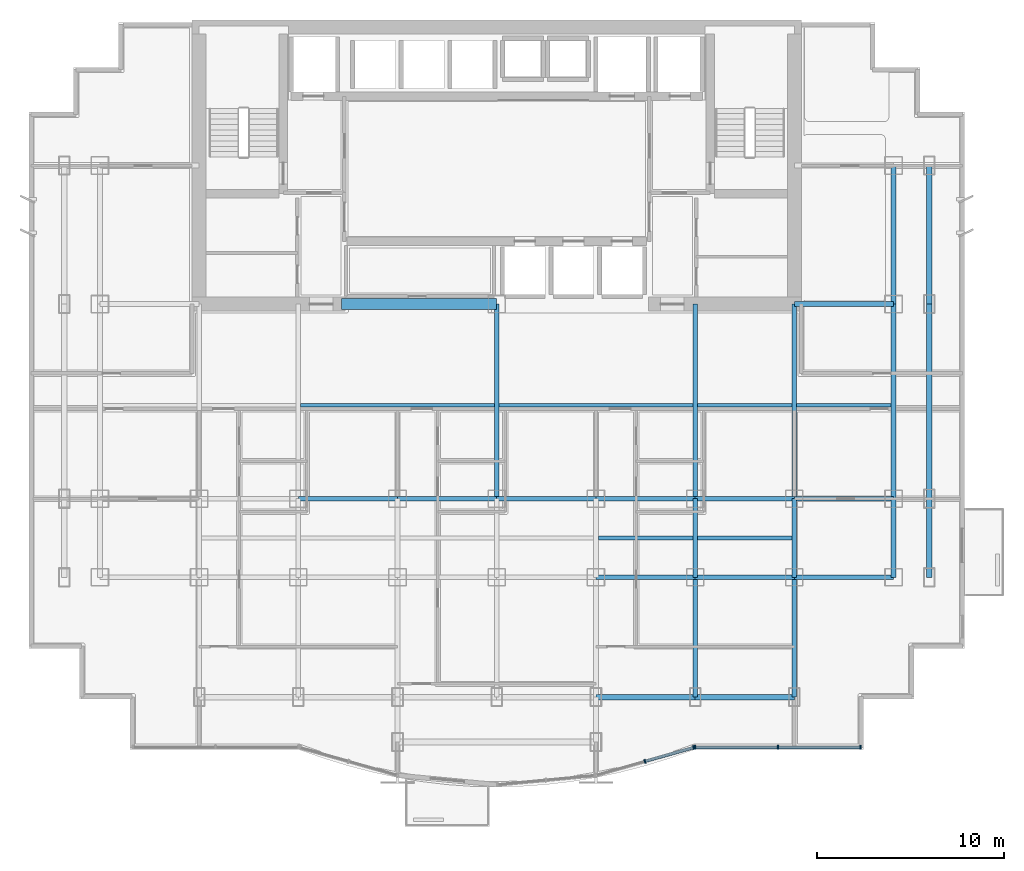
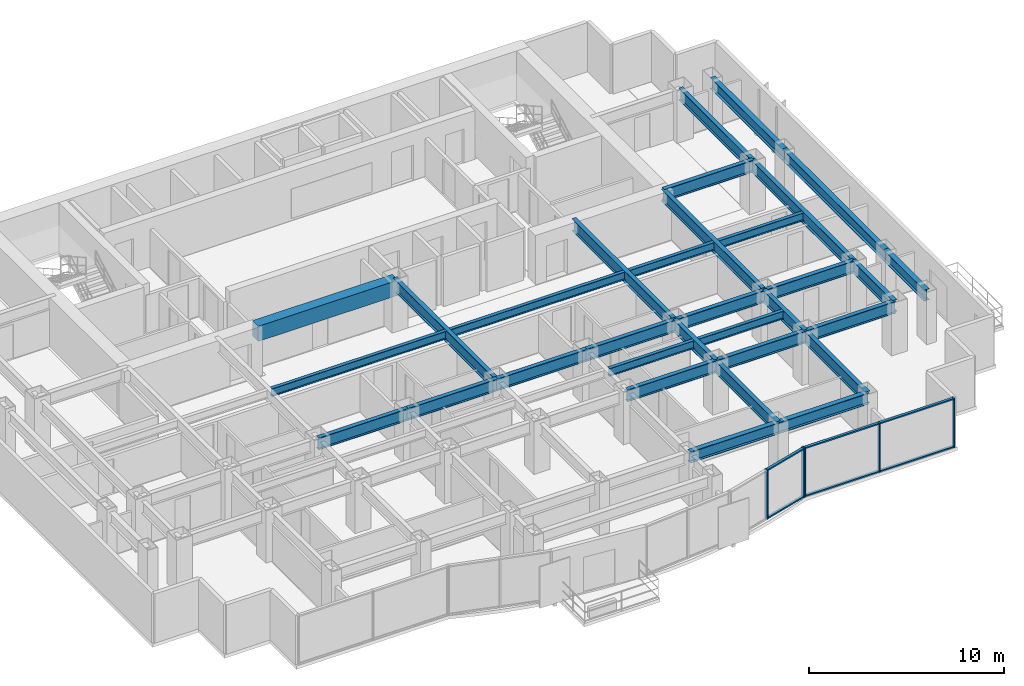
# One storey, part 3 of 9: 32 beams, 11 members, 2 elements without a shape of their own.
"""IFC4 building model written with IfcOpenShell, lengths in metres."""

import ifcopenshell
import ifcopenshell.guid

model = None  # the IFC model being written
_history = None  # IfcOwnerHistory: only IFC2X3 demands one
_inside = {}  # id of a spatial element -> (the spatial element, [elements in it])
_under = {}  # id of a project, library or spatial element -> (it, [spatial elements below it])
_declared = {}  # id of a project -> (the project, [libraries it declares])
_typed = {}  # id of a type object -> (the type object, [elements of that type])
_made_of = {}  # id of a material, layer set ... -> (it, [elements and type objects made of it])


def new_model(schema):
    """Start an empty IFC model of exactly this schema.

    Asked for "IFC4X3", IfcOpenShell would pick the latest addendum, in which some entities
    have other attributes; the version numbers below select the first issue.
    IFC2X3 requires an IfcOwnerHistory on every rooted entity: one is made here for all.
    """
    global model, _history
    if schema == "IFC4X3":
        model = ifcopenshell.file(schema_version=(4, 3, 0, 0))
    else:
        model = ifcopenshell.file(schema=schema)
    _inside.clear()
    _under.clear()
    _declared.clear()
    _typed.clear()
    _made_of.clear()
    _history = None
    if model.schema == "IFC2X3":
        org = make("IfcOrganization", Name="unknown")
        user = make(
            "IfcPersonAndOrganization",
            ThePerson=make("IfcPerson", FamilyName="unknown"),
            TheOrganization=org,
        )
        app = make(
            "IfcApplication",
            ApplicationDeveloper=org,
            Version="unknown",
            ApplicationFullName="unknown",
            ApplicationIdentifier="unknown",
        )
        _history = make(
            "IfcOwnerHistory",
            OwningUser=user,
            OwningApplication=app,
            ChangeAction="ADDED",
            CreationDate=0,
        )
    return model


def make(cls, **values):
    """One entity of the class cls with the attributes given. An attribute that is None is left unset."""
    return model.create_entity(
        cls, **{name: value for name, value in values.items() if value is not None}
    )


def rooted(cls, **values):
    """An entity with a GlobalId (a new one), such as an element, a storey or a relation."""
    return make(cls, GlobalId=ifcopenshell.guid.new(), OwnerHistory=_history, **values)


def si_unit(unit_type, name, prefix=None):
    """IfcSIUnit, for example si_unit("LENGTHUNIT", "METRE", prefix="MILLI")."""
    return make("IfcSIUnit", UnitType=unit_type, Prefix=prefix, Name=name)


def assignment(units):
    """IfcUnitAssignment: the units of a project."""
    return None if units is None else make("IfcUnitAssignment", Units=units)


def point(xyz):
    """IfcCartesianPoint."""
    return None if xyz is None else make("IfcCartesianPoint", Coordinates=xyz)


def direction(xyz):
    """IfcDirection."""
    return None if xyz is None else make("IfcDirection", DirectionRatios=xyz)


def frame(location, z_axis=None, x_axis=None):
    """IfcAxis2Placement3D, a coordinate frame: its origin and axes. An axis left out is left unset."""
    return make(
        "IfcAxis2Placement3D",
        Location=point(location),
        Axis=direction(z_axis),
        RefDirection=direction(x_axis),
    )


def frame_2d(location, x_axis=None):
    """IfcAxis2Placement2D, a coordinate frame in the plane: its origin and x axis."""
    return make(
        "IfcAxis2Placement2D", Location=point(location), RefDirection=direction(x_axis)
    )


def origin():
    """The frame at (0, 0, 0) with its axes left unset."""
    return frame((0.0, 0.0, 0.0))


def origin_2d():
    """The frame at (0, 0) in the plane with its x axis left unset."""
    return frame_2d((0.0, 0.0))


def place(relative_to, where):
    """IfcLocalPlacement: puts the frame where relative to a parent placement (None: the world)."""
    return make(
        "IfcLocalPlacement", PlacementRelTo=relative_to, RelativePlacement=where
    )


def context(
    kind, dimensions, precision=None, world=None, true_north=None, identifier=None
):
    """IfcGeometricRepresentationContext, for example the 3D "Model" context."""
    return make(
        "IfcGeometricRepresentationContext",
        ContextIdentifier=identifier,
        ContextType=kind,
        CoordinateSpaceDimension=dimensions,
        Precision=precision,
        WorldCoordinateSystem=world,
        TrueNorth=true_north,
    )


def subcontext(parent, identifier, kind, view, scale=None):
    """IfcGeometricRepresentationSubContext, for example "Body" below "Model"."""
    return make(
        "IfcGeometricRepresentationSubContext",
        ContextIdentifier=identifier,
        ContextType=kind,
        ParentContext=parent,
        TargetScale=scale,
        TargetView=view,
    )


def project(units=None, contexts=None):
    """IfcProject with its units and contexts."""
    return rooted(
        "IfcProject",
        Name="project",
        RepresentationContexts=contexts,
        UnitsInContext=assignment(units),
    )


def spatial(cls, under=None, at=None, **own):
    """A site, building, storey or space (cls), placed at a placement, below another one or the project."""
    s = rooted(cls, ObjectPlacement=at, **own)
    if under is not None:
        _under.setdefault(under.id(), (under, []))[1].append(s)
    return s


def profile(cls, at=None, kind="AREA", **sizes):
    """A parametric profile (cls). Its sizes go by their IFC names, for example OverallWidth=200.0."""
    return make(cls, ProfileType=kind, Position=at, **sizes)


def rectangle(**sizes):
    """IfcRectangleProfileDef."""
    return profile("IfcRectangleProfileDef", **sizes)


def i_section(**sizes):
    """IfcIShapeProfileDef."""
    return profile("IfcIShapeProfileDef", **sizes)


def extrude(swept, where, along, depth):
    """IfcExtrudedAreaSolid: the profile swept, set in the frame where, extruded along a direction by depth."""
    return make(
        "IfcExtrudedAreaSolid",
        SweptArea=swept,
        Position=where,
        ExtrudedDirection=direction(along),
        Depth=depth,
    )


def shape(context_of_items, identifier, shape_type, items):
    """IfcShapeRepresentation: the items that make up one representation, for example the "Body"."""
    return make(
        "IfcShapeRepresentation",
        ContextOfItems=context_of_items,
        RepresentationIdentifier=identifier,
        RepresentationType=shape_type,
        Items=items,
    )


def source(mapping_origin, context_of_items, identifier, shape_type, items):
    """IfcRepresentationMap: a shape defined once, which mapped items show again and again."""
    return make(
        "IfcRepresentationMap",
        MappingOrigin=mapping_origin,
        MappedRepresentation=shape(context_of_items, identifier, shape_type, items),
    )


def transform(
    local_origin,
    x_axis=None,
    y_axis=None,
    z_axis=None,
    scale=None,
    scale2=None,
    scale3=None,
    uniform=True,
):
    """IfcCartesianTransformationOperator3D, or its non-uniform kind. x_axis, y_axis, z_axis: its Axis1, 2, 3."""
    if uniform:
        return make(
            "IfcCartesianTransformationOperator3D",
            Axis1=direction(x_axis),
            Axis2=direction(y_axis),
            LocalOrigin=point(local_origin),
            Scale=scale,
            Axis3=direction(z_axis),
        )
    return make(
        "IfcCartesianTransformationOperator3DnonUniform",
        Axis1=direction(x_axis),
        Axis2=direction(y_axis),
        LocalOrigin=point(local_origin),
        Scale=scale,
        Axis3=direction(z_axis),
        Scale2=scale2,
        Scale3=scale3,
    )


def mapped(mapping_source, mapping_target):
    """IfcMappedItem: shows the shape of a source again, moved by a transform."""
    return make(
        "IfcMappedItem", MappingSource=mapping_source, MappingTarget=mapping_target
    )


def material(Name=None, Category=None):
    """IfcMaterial."""
    return make("IfcMaterial", Name=Name, Category=Category)


def layer(
    of_material, thickness, ventilated=None, Name=None, Category=None, Priority=None
):
    """IfcMaterialLayer: one layer of a wall or slab, of a material (None: an air gap)."""
    return make(
        "IfcMaterialLayer",
        Material=of_material,
        LayerThickness=thickness,
        IsVentilated=ventilated,
        Name=Name,
        Category=Category,
        Priority=Priority,
    )


def layer_set(layers, Name=None):
    """IfcMaterialLayerSet."""
    return make("IfcMaterialLayerSet", MaterialLayers=layers, LayerSetName=Name)


def material_profile(
    of_material, cross_section, Name=None, Category=None, Priority=None
):
    """IfcMaterialProfile: a cross section and its material."""
    return make(
        "IfcMaterialProfile",
        Name=Name,
        Material=of_material,
        Profile=cross_section,
        Priority=Priority,
        Category=Category,
    )


def profile_set(profiles, Name=None, composite=None):
    """IfcMaterialProfileSet."""
    return make(
        "IfcMaterialProfileSet",
        Name=Name,
        MaterialProfiles=profiles,
        CompositeProfile=composite,
    )


def made_of(thing, what):
    """Note that an element or type object is made of a material, layer set ...; save() writes the relation."""
    if what is not None:
        _made_of.setdefault(what.id(), (what, []))[1].append(thing)
    return thing


def type_object(cls, material=None, **own):
    """A type object (cls), such as IfcWallType, which elements share."""
    return made_of(rooted(cls, **own), material)


def element(
    cls,
    number,
    at=None,
    inside=None,
    cuts=None,
    type_object=None,
    material=None,
    context=None,
    identifier="Body",
    shape_type=None,
    held_by="IfcProductDefinitionShape",
    body=None,
    shapes=None,
    **own,
):
    """One element of the class cls, such as IfcWall. Its Tag is "e" and its number.

    at: its placement. inside: the storey or other place that contains it. cuts: it is an
    opening in that element (IfcRelVoidsElement). A single representation is given by context,
    identifier, shape_type and body (its items); several are given by shapes. held_by: the class
    of the entity that holds the representations. save() writes the other relations.
    """
    e = rooted(cls, Tag="e%d" % number, ObjectPlacement=at, **own)
    if body is not None:
        shapes = [shape(context, identifier, shape_type, body)]
    if shapes is not None:
        e.Representation = make(held_by, Representations=shapes)
    if inside is not None:
        _inside.setdefault(inside.id(), (inside, []))[1].append(e)
    if cuts is not None:
        rooted(
            "IfcRelVoidsElement", RelatingBuildingElement=cuts, RelatedOpeningElement=e
        )
    if type_object is not None:
        _typed.setdefault(type_object.id(), (type_object, []))[1].append(e)
    return made_of(e, material)


def aggregate(whole, parts):
    """IfcRelAggregates: a whole, such as a stair, and the parts it consists of."""
    return rooted("IfcRelAggregates", RelatingObject=whole, RelatedObjects=parts)


def save(model, path):
    """Write the relations noted so far, then the file.

    IfcRelAggregates (storeys below a building ...), IfcRelContainedInSpatialStructure (elements
    in a storey), IfcRelDefinesByType, IfcRelAssociatesMaterial and IfcRelDeclares: one each for
    every whole, place, type object, material and project.
    """
    for whole, parts in _under.values():
        aggregate(whole, parts)
    for where, things in _inside.values():
        rooted(
            "IfcRelContainedInSpatialStructure",
            RelatedElements=things,
            RelatingStructure=where,
        )
    for kind, things in _typed.values():
        rooted("IfcRelDefinesByType", RelatedObjects=things, RelatingType=kind)
    for what, things in _made_of.values():
        rooted("IfcRelAssociatesMaterial", RelatedObjects=things, RelatingMaterial=what)
    for by, libraries in _declared.values():
        rooted("IfcRelDeclares", RelatingContext=by, RelatedDefinitions=libraries)
    model.write(path)


model = new_model("IFC4")

# Units and contexts
model_context = context("Model", 3, precision=1e-05, world=origin(), true_north=direction((0.0, 1.0)))
body_context = subcontext(model_context, "Body", "Model", "MODEL_VIEW")
ifc_project = project(units=[si_unit("LENGTHUNIT", "METRE"), si_unit("AREAUNIT", "SQUARE_METRE"), si_unit("VOLUMEUNIT", "CUBIC_METRE"), si_unit("PLANEANGLEUNIT", "RADIAN"), si_unit("MASSUNIT", "GRAM", prefix="KILO")], contexts=[model_context])

# Site, building, storey
site_placement = place(None, origin())
site = spatial("IfcSite", under=ifc_project, at=site_placement, CompositionType="ELEMENT")
building_placement = place(site_placement, origin())
building = spatial("IfcBuilding", under=site, at=building_placement, Name="Qianlan Lanfeng Residences", CompositionType="ELEMENT")
storey_placement = place(building_placement, frame((0.0, 0.0, 111.39990234375)))
storey = spatial("IfcBuildingStorey", under=building, at=storey_placement, Name="L30", CompositionType="ELEMENT", Elevation=111.39990234375)

# Beams
ifc_material_1 = material(Name="Steel SN490B", Category="steel")
ifc_material_profile_1 = material_profile(ifc_material_1, i_section(OverallWidth=0.25, OverallDepth=0.75, WebThickness=0.013916015625, FlangeThickness=0.02490234375, at=origin_2d()), Name="H 750x250x14x25")
ifc_profile_set_1 = profile_set([ifc_material_profile_1], Name="Steel SN490B")
beam_type_1 = type_object("IfcBeamType", Name="G-850", PredefinedType="BEAM", material=ifc_profile_set_1)
beam_1_placement = place(storey_placement, frame((31.800048828125, 10.60009765625, 2.715087890625), z_axis=(1.0, 0.0, 0.0), x_axis=(0.0, 1.0, 0.0)))
element("IfcBeam", 1, at=beam_1_placement, inside=storey, type_object=beam_type_1, Name="Structural beam G-850", PredefinedType="BEAM", context=body_context, shape_type="SweptSolid", body=[
    extrude(i_section(OverallWidth=0.25, OverallDepth=0.75, WebThickness=0.013916015625, FlangeThickness=0.02490234375, at=origin_2d()), origin(), (0.0, 0.0, 1.0), 5.300048828125),
])
beam_2_placement = place(storey_placement, frame((37.10009765625, 10.60009765625, 2.715087890625), z_axis=(1.0, 0.0, 0.0), x_axis=(0.0, 1.0, 0.0)))
element("IfcBeam", 2, at=beam_2_placement, inside=storey, type_object=beam_type_1, Name="Structural beam G-850", PredefinedType="BEAM", context=body_context, shape_type="SweptSolid", body=[
    extrude(i_section(OverallWidth=0.25, OverallDepth=0.75, WebThickness=0.013916015625, FlangeThickness=0.02490234375, at=origin_2d()), origin(), (0.0, 0.0, 1.0), 5.2998046875),
])
for number, where, z_axis, x_axis, name in (
    (3, (42.39990234375, 10.60009765625, 2.715087890625), (1.0, 0.0, 0.0), (0.0, 1.0, 0.0), "Structural beam G-850"),
    (4, (15.89990234375, 14.800048828125, 2.715087890625), (1.0, 0.0, 0.0), (0.0, 1.0, 0.0), "Structural beam G-850"),
    (5, (21.199951171875, 14.800048828125, 2.715087890625), (1.0, 0.0, 0.0), (0.0, 1.0, 0.0), "Structural beam G-850"),
    (6, (26.5, 14.800048828125, 2.715087890625), (1.0, 0.0, 0.0), (0.0, 1.0, 0.0), "Structural beam G-850"),
    (7, (31.800048828125, 14.800048828125, 2.715087890625), (1.0, 0.0, 0.0), (0.0, 1.0, 0.0), "Structural beam G-850"),
):
    element("IfcBeam", number, at=place(storey_placement, frame(where, z_axis=z_axis, x_axis=x_axis)), inside=storey, type_object=beam_type_1, Name=name, PredefinedType="BEAM", context=body_context, shape_type="SweptSolid", body=[
        extrude(i_section(OverallWidth=0.25, OverallDepth=0.75, WebThickness=0.013916015625, FlangeThickness=0.02490234375, at=origin_2d()), origin(), (0.0, 0.0, 1.0), 5.300048828125),
    ])
beam_3_placement = place(storey_placement, frame((37.10009765625, 14.800048828125, 2.715087890625), z_axis=(1.0, 0.0, 0.0), x_axis=(0.0, 1.0, 0.0)))
element("IfcBeam", 8, at=beam_3_placement, inside=storey, type_object=beam_type_1, Name="Structural beam G-850", PredefinedType="BEAM", context=body_context, shape_type="SweptSolid", body=[
    extrude(i_section(OverallWidth=0.25, OverallDepth=0.75, WebThickness=0.013916015625, FlangeThickness=0.02490234375, at=origin_2d()), origin(), (0.0, 0.0, 1.0), 5.2998046875),
])
for number, where, z_axis, x_axis, name in (
    (9, (42.39990234375, 14.800048828125, 2.715087890625), (1.0, 0.0, 0.0), (0.0, 1.0, 0.0), "Structural beam G-850"),
    (10, (42.39990234375, 25.199951171875, 2.715087890625), (1.0, 0.0, 0.0), (0.0, 1.0, 0.0), "Structural beam G-850"),
):
    element("IfcBeam", number, at=place(storey_placement, frame(where, z_axis=z_axis, x_axis=x_axis)), inside=storey, type_object=beam_type_1, Name=name, PredefinedType="BEAM", context=body_context, shape_type="SweptSolid", body=[
        extrude(i_section(OverallWidth=0.25, OverallDepth=0.75, WebThickness=0.013916015625, FlangeThickness=0.02490234375, at=origin_2d()), origin(), (0.0, 0.0, 1.0), 5.300048828125),
    ])
beam_4_placement = place(storey_placement, frame((26.5, 14.800048828125, 2.715087890625), z_axis=(0.0, 1.0, 0.0), x_axis=(-1.0, 0.0, 0.0)))
element("IfcBeam", 11, at=beam_4_placement, inside=storey, type_object=beam_type_1, Name="Structural beam G-850", PredefinedType="BEAM", context=body_context, shape_type="SweptSolid", body=[
    extrude(i_section(OverallWidth=0.25, OverallDepth=0.75, WebThickness=0.013916015625, FlangeThickness=0.02490234375, at=origin_2d()), origin(), (0.0, 0.0, 1.0), 10.39990234375),
])
beam_5_placement = place(storey_placement, frame((37.10009765625, 4.199951171875, 2.715087890625), z_axis=(0.0, 1.0, 0.0), x_axis=(-1.0, 0.0, 0.0)))
element("IfcBeam", 12, at=beam_5_placement, inside=storey, type_object=beam_type_1, Name="Structural beam G-850", PredefinedType="BEAM", context=body_context, shape_type="SweptSolid", body=[
    extrude(i_section(OverallWidth=0.25, OverallDepth=0.75, WebThickness=0.013916015625, FlangeThickness=0.02490234375, at=origin_2d()), origin(), (0.0, 0.0, 1.0), 6.400146484375),
])
beam_6_placement = place(storey_placement, frame((37.10009765625, 10.60009765625, 2.715087890625), z_axis=(0.0, 1.0, 0.0), x_axis=(-1.0, 0.0, 0.0)))
element("IfcBeam", 13, at=beam_6_placement, inside=storey, type_object=beam_type_1, Name="Structural beam G-850", PredefinedType="BEAM", context=body_context, shape_type="SweptSolid", body=[
    extrude(i_section(OverallWidth=0.25, OverallDepth=0.75, WebThickness=0.013916015625, FlangeThickness=0.02490234375, at=origin_2d()), origin(), (0.0, 0.0, 1.0), 4.199951171875),
])
beam_7_placement = place(storey_placement, frame((37.10009765625, 14.800048828125, 2.715087890625), z_axis=(0.0, 1.0, 0.0), x_axis=(-1.0, 0.0, 0.0)))
element("IfcBeam", 14, at=beam_7_placement, inside=storey, type_object=beam_type_1, Name="Structural beam G-850", PredefinedType="BEAM", context=body_context, shape_type="SweptSolid", body=[
    extrude(i_section(OverallWidth=0.25, OverallDepth=0.75, WebThickness=0.013916015625, FlangeThickness=0.02490234375, at=origin_2d()), origin(), (0.0, 0.0, 1.0), 10.39990234375),
])
beam_8_placement = place(storey_placement, frame((42.39990234375, 4.199951171875, 2.715087890625), z_axis=(0.0, 1.0, 0.0), x_axis=(-1.0, 0.0, 0.0)))
element("IfcBeam", 15, at=beam_8_placement, inside=storey, type_object=beam_type_1, Name="Structural beam G-850", PredefinedType="BEAM", context=body_context, shape_type="SweptSolid", body=[
    extrude(i_section(OverallWidth=0.25, OverallDepth=0.75, WebThickness=0.013916015625, FlangeThickness=0.02490234375, at=origin_2d()), origin(), (0.0, 0.0, 1.0), 6.400146484375),
])
beam_9_placement = place(storey_placement, frame((42.39990234375, 10.60009765625, 2.715087890625), z_axis=(0.0, 1.0, 0.0), x_axis=(-1.0, 0.0, 0.0)))
element("IfcBeam", 16, at=beam_9_placement, inside=storey, type_object=beam_type_1, Name="Structural beam G-850", PredefinedType="BEAM", context=body_context, shape_type="SweptSolid", body=[
    extrude(i_section(OverallWidth=0.25, OverallDepth=0.75, WebThickness=0.013916015625, FlangeThickness=0.02490234375, at=origin_2d()), origin(), (0.0, 0.0, 1.0), 4.199951171875),
])
beam_10_placement = place(storey_placement, frame((42.39990234375, 14.800048828125, 2.715087890625), z_axis=(0.0, 1.0, 0.0), x_axis=(-1.0, 0.0, 0.0)))
element("IfcBeam", 17, at=beam_10_placement, inside=storey, type_object=beam_type_1, Name="Structural beam G-850", PredefinedType="BEAM", context=body_context, shape_type="SweptSolid", body=[
    extrude(i_section(OverallWidth=0.25, OverallDepth=0.75, WebThickness=0.013916015625, FlangeThickness=0.02490234375, at=origin_2d()), origin(), (0.0, 0.0, 1.0), 10.39990234375),
])
beam_11_placement = place(storey_placement, frame((47.699951171875, 10.60009765625, 2.715087890625), z_axis=(0.0, 1.0, 0.0), x_axis=(-1.0, 0.0, 0.0)))
element("IfcBeam", 18, at=beam_11_placement, inside=storey, type_object=beam_type_1, Name="Structural beam G-850", PredefinedType="BEAM", context=body_context, shape_type="SweptSolid", body=[
    extrude(i_section(OverallWidth=0.25, OverallDepth=0.75, WebThickness=0.013916015625, FlangeThickness=0.02490234375, at=origin_2d()), origin(), (0.0, 0.0, 1.0), 4.199951171875),
])
beam_12_placement = place(storey_placement, frame((47.699951171875, 14.800048828125, 2.715087890625), z_axis=(0.0, 1.0, 0.0), x_axis=(-1.0, 0.0, 0.0)))
element("IfcBeam", 19, at=beam_12_placement, inside=storey, type_object=beam_type_1, Name="Structural beam G-850", PredefinedType="BEAM", context=body_context, shape_type="SweptSolid", body=[
    extrude(i_section(OverallWidth=0.25, OverallDepth=0.75, WebThickness=0.013916015625, FlangeThickness=0.02490234375, at=origin_2d()), origin(), (0.0, 0.0, 1.0), 10.39990234375),
])
beam_13_placement = place(storey_placement, frame((47.699951171875, 25.199951171875, 2.715087890625), z_axis=(0.0, 1.0, 0.0), x_axis=(-1.0, 0.0, 0.0)))
element("IfcBeam", 20, at=beam_13_placement, inside=storey, type_object=beam_type_1, Name="Structural beam G-850", PredefinedType="BEAM", context=body_context, shape_type="SweptSolid", body=[
    extrude(i_section(OverallWidth=0.25, OverallDepth=0.75, WebThickness=0.013916015625, FlangeThickness=0.02490234375, at=origin_2d()), origin(), (0.0, 0.0, 1.0), 7.400146484375),
])
ifc_material_profile_2 = material_profile(ifc_material_1, i_section(OverallWidth=0.199951171875, OverallDepth=0.5, WebThickness=0.010009765625, FlangeThickness=0.01611328125, at=origin_2d()), Name="H 500x200x10x16")
ifc_profile_set_2 = profile_set([ifc_material_profile_2], Name="Steel SN490B")
beam_type_2 = type_object("IfcBeamType", Name="J-500", PredefinedType="JOIST", material=ifc_profile_set_2)
beam_14_placement = place(storey_placement, frame((31.925048828125, 12.699951171875, 2.840087890625), z_axis=(1.0, 0.0, 0.0), x_axis=(0.0, 1.0, 0.0)))
element("IfcBeam", 21, at=beam_14_placement, inside=storey, type_object=beam_type_2, Name="Structural beam J-500", PredefinedType="JOIST", context=body_context, shape_type="SweptSolid", body=[
    extrude(i_section(OverallWidth=0.199951171875, OverallDepth=0.5, WebThickness=0.010009765625, FlangeThickness=0.01611328125, at=origin_2d()), origin(), (0.0, 0.0, 1.0), 5.050048828125),
])
beam_15_placement = place(storey_placement, frame((37.22509765625, 12.699951171875, 2.840087890625), z_axis=(1.0, 0.0, 0.0), x_axis=(0.0, 1.0, 0.0)))
element("IfcBeam", 22, at=beam_15_placement, inside=storey, type_object=beam_type_2, Name="Structural beam J-500", PredefinedType="JOIST", context=body_context, shape_type="SweptSolid", body=[
    extrude(i_section(OverallWidth=0.199951171875, OverallDepth=0.5, WebThickness=0.010009765625, FlangeThickness=0.01611328125, at=origin_2d()), origin(), (0.0, 0.0, 1.0), 5.0498046875),
])
for number, where, z_axis, x_axis, name in (
    (23, (16.02490234375, 19.800048828125, 2.840087890625), (1.0, 0.0, 0.0), (0.0, 1.0, 0.0), "Structural beam J-500"),
    (24, (26.625, 19.800048828125, 2.840087890625), (1.0, 0.0, 0.0), (0.0, 1.0, 0.0), "Structural beam J-500"),
):
    element("IfcBeam", number, at=place(storey_placement, frame(where, z_axis=z_axis, x_axis=x_axis)), inside=storey, type_object=beam_type_2, Name=name, PredefinedType="JOIST", context=body_context, shape_type="SweptSolid", body=[
        extrude(i_section(OverallWidth=0.199951171875, OverallDepth=0.5, WebThickness=0.010009765625, FlangeThickness=0.01611328125, at=origin_2d()), origin(), (0.0, 0.0, 1.0), 10.35009765625),
    ])
beam_16_placement = place(storey_placement, frame((37.22509765625, 19.800048828125, 2.840087890625), z_axis=(1.0, 0.0, 0.0), x_axis=(0.0, 1.0, 0.0)))
element("IfcBeam", 25, at=beam_16_placement, inside=storey, type_object=beam_type_2, Name="Structural beam J-500", PredefinedType="JOIST", context=body_context, shape_type="SweptSolid", body=[
    extrude(i_section(OverallWidth=0.199951171875, OverallDepth=0.5, WebThickness=0.010009765625, FlangeThickness=0.01611328125, at=origin_2d()), origin(), (0.0, 0.0, 1.0), 5.0498046875),
])
beam_17_placement = place(storey_placement, frame((42.52490234375, 19.800048828125, 2.840087890625), z_axis=(1.0, 0.0, 0.0), x_axis=(0.0, 1.0, 0.0)))
element("IfcBeam", 26, at=beam_17_placement, inside=storey, type_object=beam_type_2, Name="Structural beam J-500", PredefinedType="JOIST", context=body_context, shape_type="SweptSolid", body=[
    extrude(i_section(OverallWidth=0.199951171875, OverallDepth=0.5, WebThickness=0.010009765625, FlangeThickness=0.01611328125, at=origin_2d()), origin(), (0.0, 0.0, 1.0), 5.050048828125),
])
ifc_material_2 = material(Name="Concrete C60", Category="concrete")
ifc_material_profile_3 = material_profile(ifc_material_2, rectangle(XDim=0.60009765625, YDim=0.949951171875, at=origin_2d()), Name="RC 600x950")
ifc_profile_set_3 = profile_set([ifc_material_profile_3], Name="Concrete C60")
beam_type_3 = type_object("IfcBeamType", Name="LB-RC900", PredefinedType="BEAM", material=ifc_profile_set_3)
beam_18_placement = place(storey_placement, frame((18.199951171875, 25.199951171875, 2.614990234375), z_axis=(1.0, 0.0, 0.0), x_axis=(0.0, 1.0, 0.0)))
element("IfcBeam", 27, at=beam_18_placement, inside=storey, type_object=beam_type_3, Name="L30 Core Coupling Beam W", PredefinedType="BEAM", context=body_context, shape_type="SweptSolid", body=[
    extrude(rectangle(XDim=0.60009765625, YDim=0.949951171875, at=origin_2d()), origin(), (0.0, 0.0, 1.0), 8.300048828125),
])
ifc_material_profile_4 = material_profile(ifc_material_1, i_section(OverallWidth=0.300048828125, OverallDepth=0.699951171875, WebThickness=0.012939453125, FlangeThickness=0.02392578125, at=origin_2d()), Name="H 700x300x13x24")
ifc_profile_set_4 = profile_set([ifc_material_profile_4], Name="Steel SN490B")
beam_type_4 = type_object("IfcBeamType", Name="SG-750", PredefinedType="SPANDREL", material=ifc_profile_set_4)
beam_19_placement = place(storey_placement, frame((31.800048828125, 4.199951171875, 2.739990234375), z_axis=(1.0, 0.0, 0.0), x_axis=(0.0, 1.0, 0.0)))
element("IfcBeam", 28, at=beam_19_placement, inside=storey, type_object=beam_type_4, Name="Structural beam SG-750", PredefinedType="SPANDREL", context=body_context, shape_type="SweptSolid", body=[
    extrude(i_section(OverallWidth=0.300048828125, OverallDepth=0.699951171875, WebThickness=0.012939453125, FlangeThickness=0.02392578125, at=origin_2d()), origin(), (0.0, 0.0, 1.0), 5.300048828125),
])
beam_20_placement = place(storey_placement, frame((37.10009765625, 4.199951171875, 2.739990234375), z_axis=(1.0, 0.0, 0.0), x_axis=(0.0, 1.0, 0.0)))
element("IfcBeam", 29, at=beam_20_placement, inside=storey, type_object=beam_type_4, Name="Structural beam SG-750", PredefinedType="SPANDREL", context=body_context, shape_type="SweptSolid", body=[
    extrude(i_section(OverallWidth=0.300048828125, OverallDepth=0.699951171875, WebThickness=0.012939453125, FlangeThickness=0.02392578125, at=origin_2d()), origin(), (0.0, 0.0, 1.0), 5.2998046875),
])
beam_21_placement = place(storey_placement, frame((49.60009765625, 10.60009765625, 2.739990234375), z_axis=(0.0, 1.0, 0.0), x_axis=(-1.0, 0.0, 0.0)))
element("IfcBeam", 30, at=beam_21_placement, inside=storey, type_object=beam_type_4, Name="Structural beam SG-750", PredefinedType="SPANDREL", context=body_context, shape_type="SweptSolid", body=[
    extrude(i_section(OverallWidth=0.300048828125, OverallDepth=0.699951171875, WebThickness=0.012939453125, FlangeThickness=0.02392578125, at=origin_2d()), origin(), (0.0, 0.0, 1.0), 4.199951171875),
])
beam_22_placement = place(storey_placement, frame((49.60009765625, 14.800048828125, 2.739990234375), z_axis=(0.0, 1.0, 0.0), x_axis=(-1.0, 0.0, 0.0)))
element("IfcBeam", 31, at=beam_22_placement, inside=storey, type_object=beam_type_4, Name="Structural beam SG-750", PredefinedType="SPANDREL", context=body_context, shape_type="SweptSolid", body=[
    extrude(i_section(OverallWidth=0.300048828125, OverallDepth=0.699951171875, WebThickness=0.012939453125, FlangeThickness=0.02392578125, at=origin_2d()), origin(), (0.0, 0.0, 1.0), 10.39990234375),
])
beam_23_placement = place(storey_placement, frame((49.60009765625, 25.199951171875, 2.739990234375), z_axis=(0.0, 1.0, 0.0), x_axis=(-1.0, 0.0, 0.0)))
element("IfcBeam", 32, at=beam_23_placement, inside=storey, type_object=beam_type_4, Name="Structural beam SG-750", PredefinedType="SPANDREL", context=body_context, shape_type="SweptSolid", body=[
    extrude(i_section(OverallWidth=0.300048828125, OverallDepth=0.699951171875, WebThickness=0.012939453125, FlangeThickness=0.02392578125, at=origin_2d()), origin(), (0.0, 0.0, 1.0), 7.400146484375),
])

# Curtain wall, members
ifc_material_3 = material(Name="Anodised Bronze Aluminium 6063-T6", Category="aluminium")
ifc_layer = layer(ifc_material_3, 0.219970703125)
ifc_layer_set = layer_set([ifc_layer], Name="Anodised Bronze Aluminium 6063-T6")
curtain_wall_type = type_object("IfcCurtainWallType", Name="CW-03", PredefinedType="NOTDEFINED", material=ifc_layer_set)
curtain_wall_1_placement = place(storey_placement, origin())
curtain_wall_1 = element("IfcCurtainWall", 33, at=curtain_wall_1_placement, inside=storey, type_object=curtain_wall_type, Name="L30 Unitised Curtain Wall CWR-L30-05 (CW-03)", PredefinedType="NOTDEFINED")
ifc_material_profile_5 = material_profile(ifc_material_3, rectangle(XDim=0.080078125, YDim=0.159912109375, at=origin_2d()), Name="ALU TRANSOM 80x160")
ifc_profile_set_5 = profile_set([ifc_material_profile_5], Name="Anodised Bronze Aluminium 6063-T6")
member_type_1 = type_object("IfcMemberType", Name="CWT-180", PredefinedType="USERDEFINED", material=ifc_profile_set_5)
shared_shape_1 = source(origin(), body_context, "Body", "SweptSolid", [
    extrude(rectangle(XDim=0.080078125, YDim=0.159912109375, at=origin_2d()), origin(), (0.0, 0.0, 1.0), 4.34033203125),
])
member_1_placement = place(storey_placement, frame((41.5595703125, 1.52001953125, 0.0400390625), z_axis=(1.0, 0.0, 0.0), x_axis=(0.0, 0.0, 1.0)))
member_1 = element("IfcMember", 34, at=member_1_placement, type_object=member_type_1, Name="CWR-L30-05 Transom 2-BOT", ObjectType="TRANSOM", PredefinedType="USERDEFINED", context=body_context, shape_type="MappedRepresentation", body=[
    mapped(shared_shape_1, transform((0.0, 0.0, 0.0), scale=1.0)),
])
member_2_placement = place(storey_placement, frame((41.5595703125, 1.52001953125, 3.050048828125), z_axis=(1.0, 0.0, 0.0), x_axis=(0.0, 0.0, 1.0)))
member_2 = element("IfcMember", 35, at=member_2_placement, type_object=member_type_1, Name="CWR-L30-05 Transom 2-TOP", ObjectType="TRANSOM", PredefinedType="USERDEFINED", context=body_context, shape_type="MappedRepresentation", body=[
    mapped(shared_shape_1, transform((0.0, 0.0, 0.0), scale=1.0)),
])
shared_shape_2 = source(origin(), body_context, "Body", "SweptSolid", [
    extrude(rectangle(XDim=0.080078125, YDim=0.159912109375, at=origin_2d()), origin(), (0.0, 0.0, 1.0), 4.340576171875),
])
member_3_placement = place(storey_placement, frame((37.138916015625, 1.52001953125, 0.0400390625), z_axis=(1.0, 0.0, 0.0), x_axis=(0.0, 0.0, 1.0)))
member_3 = element("IfcMember", 36, at=member_3_placement, type_object=member_type_1, Name="CWR-L30-05 Transom 1-BOT", ObjectType="TRANSOM", PredefinedType="USERDEFINED", context=body_context, shape_type="MappedRepresentation", body=[
    mapped(shared_shape_2, transform((0.0, 0.0, 0.0), scale=1.0)),
])
member_4_placement = place(storey_placement, frame((37.138916015625, 1.52001953125, 3.050048828125), z_axis=(1.0, 0.0, 0.0), x_axis=(0.0, 0.0, 1.0)))
member_4 = element("IfcMember", 37, at=member_4_placement, type_object=member_type_1, Name="CWR-L30-05 Transom 1-TOP", ObjectType="TRANSOM", PredefinedType="USERDEFINED", context=body_context, shape_type="MappedRepresentation", body=[
    mapped(shared_shape_2, transform((0.0, 0.0, 0.0), scale=1.0)),
])

curtain_wall_2_placement = place(storey_placement, origin())
curtain_wall_2 = element("IfcCurtainWall", 38, at=curtain_wall_2_placement, inside=storey, type_object=curtain_wall_type, Name="L30 Unitised Curtain Wall CWR-L30-04 (CW-03)", PredefinedType="NOTDEFINED")
shared_shape_3 = source(origin(), body_context, "Body", "SweptSolid", [
    extrude(rectangle(XDim=0.080078125, YDim=0.159912109375, at=origin_2d()), origin(), (0.0, 0.0, 1.0), 2.63037109375),
])
member_5_placement = place(storey_placement, frame((34.451904296875, 0.77978515625, 0.0400390625), z_axis=(0.961967513886, 0.273163874312, 0.0), x_axis=(0.0, 0.0, 1.0)))
member_5 = element("IfcMember", 39, at=member_5_placement, type_object=member_type_1, Name="CWR-L30-04 Transom 2-BOT", ObjectType="TRANSOM", PredefinedType="USERDEFINED", context=body_context, shape_type="MappedRepresentation", body=[
    mapped(shared_shape_3, transform((0.0, 0.0, 0.0), scale=1.0)),
])
member_6_placement = place(storey_placement, frame((34.451904296875, 0.77978515625, 3.050048828125), z_axis=(0.961967513886, 0.273163874312, 0.0), x_axis=(0.0, 0.0, 1.0)))
member_6 = element("IfcMember", 40, at=member_6_placement, type_object=member_type_1, Name="CWR-L30-04 Transom 2-TOP", ObjectType="TRANSOM", PredefinedType="USERDEFINED", context=body_context, shape_type="MappedRepresentation", body=[
    mapped(shared_shape_3, transform((0.0, 0.0, 0.0), scale=1.0)),
])
ifc_material_profile_6 = material_profile(ifc_material_3, rectangle(XDim=0.080078125, YDim=0.2099609375, at=origin_2d()), Name="ALU MULLION 80x210")
ifc_profile_set_6 = profile_set([ifc_material_profile_6], Name="Anodised Bronze Aluminium 6063-T6")
member_type_2 = type_object("IfcMemberType", Name="CWM-220", PredefinedType="MULLION", material=ifc_profile_set_6)
shared_shape_4 = source(origin(), body_context, "Body", "SweptSolid", [
    extrude(rectangle(XDim=0.080078125, YDim=0.2099609375, at=origin_2d()), origin(), (0.0, 0.0, 1.0), 3.090087890625),
])
member_7_placement = place(storey_placement, frame((34.41357421875, 0.76904296875, 0.0), z_axis=(0.0, 0.0, 1.0), x_axis=(0.961989074302, 0.273087936247, 0.0)))
member_7 = element("IfcMember", 41, at=member_7_placement, type_object=member_type_2, Name="CWR-L30-04 Mullion 2", PredefinedType="MULLION", context=body_context, shape_type="MappedRepresentation", body=[
    mapped(shared_shape_4, transform((0.0, 0.0, 0.0), scale=1.0)),
])
member_8_placement = place(storey_placement, frame((37.0205078125, 1.509033203125, 0.0), z_axis=(0.0, 0.0, 1.0), x_axis=(0.961989074302, 0.273087936247, 0.0)))
member_8 = element("IfcMember", 42, at=member_8_placement, type_object=member_type_2, Name="CWR-L30-04 Mullion 3", PredefinedType="MULLION", context=body_context, shape_type="MappedRepresentation", body=[
    mapped(shared_shape_4, transform((0.0, 0.0, 0.0), scale=1.0)),
])
aggregate(curtain_wall_2, [member_7, member_8, member_5, member_6])

# Member
member_9_placement = place(storey_placement, frame((37.09912109375, 1.52001953125, 0.0), z_axis=(0.0, 0.0, 1.0), x_axis=(1.0, 0.0, 0.0)))
member_9 = element("IfcMember", 43, at=member_9_placement, type_object=member_type_2, Name="CWR-L30-05 Mullion 1", PredefinedType="MULLION", context=body_context, shape_type="MappedRepresentation", body=[
    mapped(shared_shape_4, transform((0.0, 0.0, 0.0), scale=1.0)),
])

member_10_placement = place(storey_placement, frame((41.51953125, 1.52001953125, 0.0), z_axis=(0.0, 0.0, 1.0), x_axis=(1.0, 0.0, 0.0)))
member_10 = element("IfcMember", 44, at=member_10_placement, type_object=member_type_2, Name="CWR-L30-05 Mullion 2", PredefinedType="MULLION", context=body_context, shape_type="MappedRepresentation", body=[
    mapped(shared_shape_4, transform((0.0, 0.0, 0.0), scale=1.0)),
])

member_11_placement = place(storey_placement, frame((45.93994140625, 1.52001953125, 0.0), z_axis=(0.0, 0.0, 1.0), x_axis=(1.0, 0.0, 0.0)))
member_11 = element("IfcMember", 45, at=member_11_placement, type_object=member_type_2, Name="CWR-L30-05 Mullion 3", PredefinedType="MULLION", context=body_context, shape_type="MappedRepresentation", body=[
    mapped(shared_shape_4, transform((0.0, 0.0, 0.0), scale=1.0)),
])

aggregate(curtain_wall_1, [member_9, member_10, member_11, member_3, member_4, member_1, member_2])

save(model, "model.ifc")
